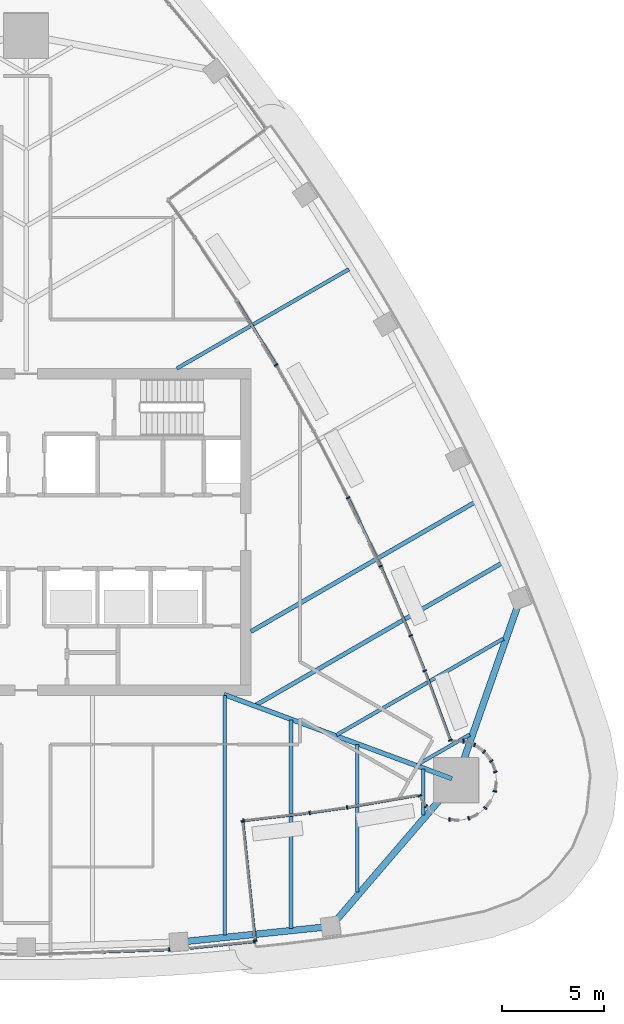
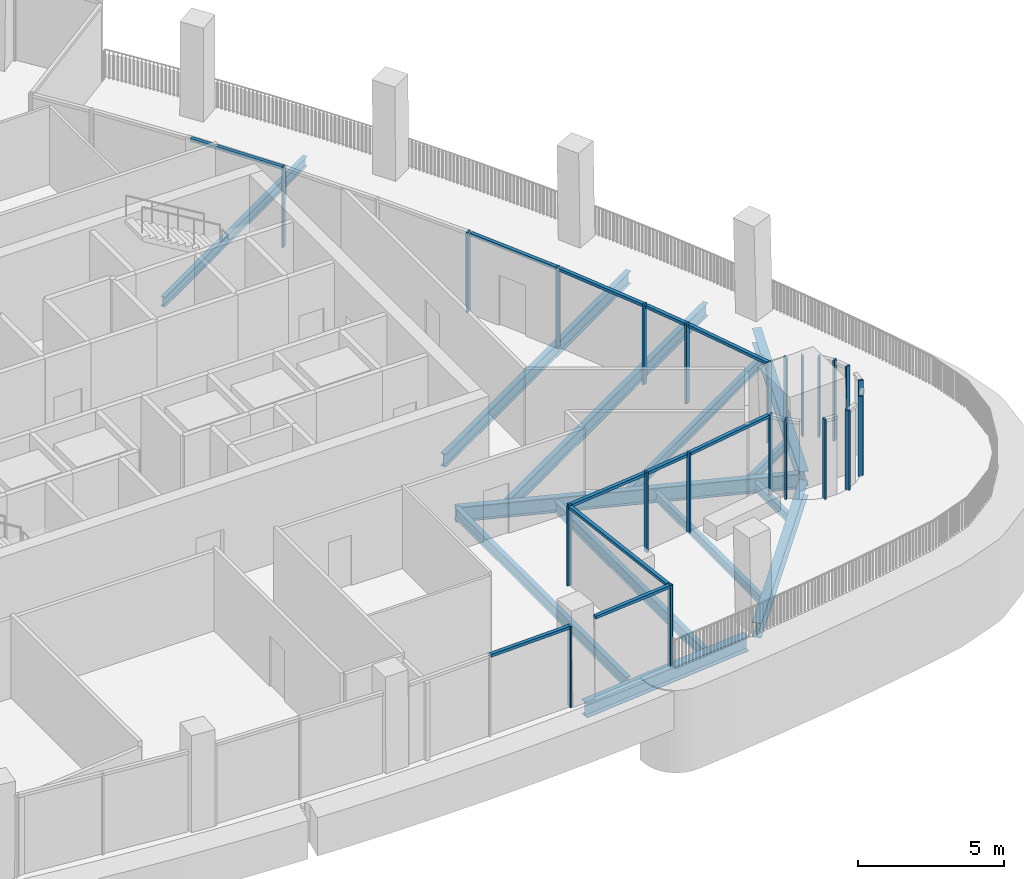
# One storey, part 4 of 20: 35 members, 13 beams, 23 elements without a shape of their own.
"""IFC4 building model written with IfcOpenShell, lengths in metres."""

from ifc_helpers import new_model, si_unit, direction, frame, origin, origin_2d, place, context, subcontext, project, spatial, rectangle, i_section, extrude, material, layer, layer_set, material_profile, profile_set, type_object, element, aggregate, save


model = new_model("IFC4")

# Units and contexts
model_context = context("Model", 3, precision=1e-05, world=origin(), true_north=direction((0.0, 1.0)))
body_context = subcontext(model_context, "Body", "Model", "MODEL_VIEW")
ifc_project = project(units=[si_unit("LENGTHUNIT", "METRE"), si_unit("AREAUNIT", "SQUARE_METRE"), si_unit("VOLUMEUNIT", "CUBIC_METRE"), si_unit("PLANEANGLEUNIT", "RADIAN"), si_unit("MASSUNIT", "GRAM", prefix="KILO")], contexts=[model_context])

# Site, building, storey
site_placement = place(None, origin())
site = spatial("IfcSite", under=ifc_project, at=site_placement, CompositionType="ELEMENT")
building_placement = place(site_placement, origin())
building = spatial("IfcBuilding", under=site, at=building_placement, Name="Sierra Prisma Convention Tower", CompositionType="ELEMENT")
storey_placement = place(building_placement, frame((0.0, 0.0, 275.0)))
storey = spatial("IfcBuildingStorey", under=building, at=storey_placement, Name="L62", CompositionType="ELEMENT", Elevation=275.0)

# Curtain wall, member
ifc_material_1 = material(Name="Aluminium and glass curtain wall", Category="aluminium")
ifc_layer_1 = layer(ifc_material_1, 0.179931640625)
ifc_layer_set_1 = layer_set([ifc_layer_1], Name="CW-1 Plain shaft curtain wall")
curtain_wall_type_1 = type_object("IfcCurtainWallType", Name="CW-1 Plain shaft curtain wall", PredefinedType="NOTDEFINED", material=ifc_layer_set_1)
curtain_wall_1_placement = place(storey_placement, origin())
curtain_wall_1 = element("IfcCurtainWall", 1, at=curtain_wall_1_placement, inside=storey, type_object=curtain_wall_type_1, Name="CW-1 S4 L62", PredefinedType="NOTDEFINED")
ifc_material_2 = material(Name="Aluminium 6063-T6 bronze anodised", Category="aluminium")
ifc_material_profile_1 = material_profile(ifc_material_2, rectangle(XDim=0.179931640625, YDim=0.070068359375, at=origin_2d()), Name="ALU MULLION 70x180")
ifc_profile_set_1 = profile_set([ifc_material_profile_1], Name="Aluminium 6063-T6 bronze anodised")
member_type_1 = type_object("IfcMemberType", Name="CW mullion bronze", PredefinedType="MULLION", material=ifc_profile_set_1)
member_1_placement = place(storey_placement, frame((7.00537109375, -20.449462890625, 0.0), z_axis=(0.0, 0.0, 1.0), x_axis=(-0.034320124653, 0.999410890997, 0.0)))
member_1 = element("IfcMember", 2, at=member_1_placement, type_object=member_type_1, Name="CW-1 mullion S4.3", PredefinedType="MULLION", context=body_context, shape_type="SweptSolid", body=[
    extrude(rectangle(XDim=0.179931640625, YDim=0.070068359375, at=origin_2d()), origin(), (0.0, 0.0, 1.0), 3.39990234375),
])

curtain_wall_2_placement = place(storey_placement, origin())
curtain_wall_2 = element("IfcCurtainWall", 3, at=curtain_wall_2_placement, inside=storey, type_object=curtain_wall_type_1, Name="CW-1 S5 L62", PredefinedType="NOTDEFINED")
member_2_placement = place(storey_placement, frame((11.178955078125, -20.052490234375, 0.0), z_axis=(0.0, 0.0, 1.0), x_axis=(-0.102798675231, 0.994702182752, 0.0)))
member_2 = element("IfcMember", 4, at=member_2_placement, type_object=member_type_1, Name="CW-1 mullion S5.2", PredefinedType="MULLION", context=body_context, shape_type="SweptSolid", body=[
    extrude(rectangle(XDim=0.179931640625, YDim=0.070068359375, at=origin_2d()), origin(), (0.0, 0.0, 1.0), 3.39990234375),
])

ifc_material_3 = material(Name="Aluminium and glass curtain wall", Category="aluminium")
ifc_layer_2 = layer(ifc_material_3, 0.179931640625)
ifc_layer_set_2 = layer_set([ifc_layer_2], Name="CW-6 Terrace recess curtain wall")
curtain_wall_type_2 = type_object("IfcCurtainWallType", Name="CW-6 Terrace recess curtain wall", PredefinedType="NOTDEFINED", material=ifc_layer_set_2)
curtain_wall_3_placement = place(storey_placement, origin())
curtain_wall_3 = element("IfcCurtainWall", 5, at=curtain_wall_3_placement, inside=storey, type_object=curtain_wall_type_2, Name="CW-6 R1 L62", PredefinedType="NOTDEFINED")
member_3_placement = place(storey_placement, frame((10.6376953125, -14.133544921875, 0.0), z_axis=(0.0, 0.0, 1.0), x_axis=(-0.116150090025, 0.99323167317, 0.0)))
member_3 = element("IfcMember", 6, at=member_3_placement, type_object=member_type_1, Name="CW-6 mullion R1.1", PredefinedType="MULLION", context=body_context, shape_type="SweptSolid", body=[
    extrude(rectangle(XDim=0.179931640625, YDim=0.070068359375, at=origin_2d()), origin(), (0.0, 0.0, 1.0), 3.340087890625),
])

curtain_wall_4_placement = place(storey_placement, origin())
curtain_wall_4 = element("IfcCurtainWall", 7, at=curtain_wall_4_placement, inside=storey, type_object=curtain_wall_type_2, Name="CW-6 R2 L62", PredefinedType="NOTDEFINED")
member_4_placement = place(storey_placement, frame((13.876708984375, -13.753662109375, 0.0), z_axis=(0.0, 0.0, 1.0), x_axis=(-0.142787646148, 0.989753347106, 0.0)))
member_4 = element("IfcMember", 8, at=member_4_placement, type_object=member_type_1, Name="CW-6 mullion R2.1", PredefinedType="MULLION", context=body_context, shape_type="SweptSolid", body=[
    extrude(rectangle(XDim=0.179931640625, YDim=0.070068359375, at=origin_2d()), origin(), (0.0, 0.0, 1.0), 3.340087890625),
])

curtain_wall_5_placement = place(storey_placement, origin())
curtain_wall_5 = element("IfcCurtainWall", 9, at=curtain_wall_5_placement, inside=storey, type_object=curtain_wall_type_2, Name="CW-6 R3 L62", PredefinedType="NOTDEFINED")
member_5_placement = place(storey_placement, frame((15.708740234375, -13.488525390625, 0.0), z_axis=(0.0, 0.0, 1.0), x_axis=(-0.169139617475, 0.985592101125, 0.0)))
member_5 = element("IfcMember", 10, at=member_5_placement, type_object=member_type_1, Name="CW-6 mullion R3.1", PredefinedType="MULLION", context=body_context, shape_type="SweptSolid", body=[
    extrude(rectangle(XDim=0.179931640625, YDim=0.070068359375, at=origin_2d()), origin(), (0.0, 0.0, 1.0), 3.340087890625),
])

curtain_wall_6_placement = place(storey_placement, origin())
curtain_wall_6 = element("IfcCurtainWall", 11, at=curtain_wall_6_placement, inside=storey, type_object=curtain_wall_type_2, Name="CW-6 R4 L62", PredefinedType="NOTDEFINED")
member_6_placement = place(storey_placement, frame((19.2666015625, -12.9111328125, 0.0), z_axis=(0.0, 0.0, 1.0), x_axis=(0.863018970793, 0.50517151152, 0.0)))
member_6 = element("IfcMember", 12, at=member_6_placement, type_object=member_type_1, Name="CW-6 mullion R4.1", PredefinedType="MULLION", context=body_context, shape_type="SweptSolid", body=[
    extrude(rectangle(XDim=0.179931640625, YDim=0.070068359375, at=origin_2d()), origin(), (0.0, 0.0, 1.0), 3.340087890625),
])
aggregate(curtain_wall_6, [member_6])

curtain_wall_7_placement = place(storey_placement, origin())
curtain_wall_7 = element("IfcCurtainWall", 13, at=curtain_wall_7_placement, inside=storey, type_object=curtain_wall_type_2, Name="CW-6 R5 L62", PredefinedType="NOTDEFINED")
member_7_placement = place(storey_placement, frame((19.580810546875, -13.427001953125, 0.0), z_axis=(0.0, 0.0, 1.0), x_axis=(0.671558954847, 0.740951125355, 0.0)))
member_7 = element("IfcMember", 14, at=member_7_placement, type_object=member_type_1, Name="CW-6 mullion R5.1", PredefinedType="MULLION", context=body_context, shape_type="SweptSolid", body=[
    extrude(rectangle(XDim=0.179931640625, YDim=0.070068359375, at=origin_2d()), origin(), (0.0, 0.0, 1.0), 3.340087890625),
])
aggregate(curtain_wall_7, [member_7])

curtain_wall_8_placement = place(storey_placement, origin())
curtain_wall_8 = element("IfcCurtainWall", 15, at=curtain_wall_8_placement, inside=storey, type_object=curtain_wall_type_2, Name="CW-6 R8 L62", PredefinedType="NOTDEFINED")
member_8_placement = place(storey_placement, frame((20.719970703125, -14.08251953125, 0.0), z_axis=(0.0, 0.0, 1.0), x_axis=(0.049067674327, 0.998795456205, 0.0)))
member_8 = element("IfcMember", 16, at=member_8_placement, type_object=member_type_1, Name="CW-6 mullion R8.1", PredefinedType="MULLION", context=body_context, shape_type="SweptSolid", body=[
    extrude(rectangle(XDim=0.179931640625, YDim=0.070068359375, at=origin_2d()), origin(), (0.0, 0.0, 1.0), 3.340087890625),
])
aggregate(curtain_wall_8, [member_8])

curtain_wall_9_placement = place(storey_placement, origin())
curtain_wall_9 = element("IfcCurtainWall", 17, at=curtain_wall_9_placement, inside=storey, type_object=curtain_wall_type_2, Name="CW-6 R10 L62", PredefinedType="NOTDEFINED")
member_9_placement = place(storey_placement, frame((21.666015625, -14.019287109375, 0.0), z_axis=(0.0, 0.0, 1.0), x_axis=(-0.42755509343, 0.903989293123, 0.0)))
member_9 = element("IfcMember", 18, at=member_9_placement, type_object=member_type_1, Name="CW-6 mullion R10.1", PredefinedType="MULLION", context=body_context, shape_type="SweptSolid", body=[
    extrude(rectangle(XDim=0.179931640625, YDim=0.070068359375, at=origin_2d()), origin(), (0.0, 0.0, 1.0), 3.340087890625),
])
aggregate(curtain_wall_9, [member_9])

curtain_wall_10_placement = place(storey_placement, origin())
curtain_wall_10 = element("IfcCurtainWall", 19, at=curtain_wall_10_placement, inside=storey, type_object=curtain_wall_type_2, Name="CW-6 R12 L62", PredefinedType="NOTDEFINED")
member_10_placement = place(storey_placement, frame((22.470458984375, -13.517578125, 0.0), z_axis=(0.0, 0.0, 1.0), x_axis=(-0.803207531481, 0.595699304492, 0.0)))
member_10 = element("IfcMember", 20, at=member_10_placement, type_object=member_type_1, Name="CW-6 mullion R12.1", PredefinedType="MULLION", context=body_context, shape_type="SweptSolid", body=[
    extrude(rectangle(XDim=0.179931640625, YDim=0.070068359375, at=origin_2d()), origin(), (0.0, 0.0, 1.0), 3.340087890625),
])
aggregate(curtain_wall_10, [member_10])

curtain_wall_11_placement = place(storey_placement, origin())
curtain_wall_11 = element("IfcCurtainWall", 21, at=curtain_wall_11_placement, inside=storey, type_object=curtain_wall_type_2, Name="CW-6 R14 L62", PredefinedType="NOTDEFINED")
member_11_placement = place(storey_placement, frame((22.943115234375, -12.69580078125, 0.0), z_axis=(0.0, 0.0, 1.0), x_axis=(-0.989176509965, 0.146730474455, 0.0)))
member_11 = element("IfcMember", 22, at=member_11_placement, type_object=member_type_1, Name="CW-6 mullion R14.1", PredefinedType="MULLION", context=body_context, shape_type="SweptSolid", body=[
    extrude(rectangle(XDim=0.179931640625, YDim=0.070068359375, at=origin_2d()), origin(), (0.0, 0.0, 1.0), 3.340087890625),
])
aggregate(curtain_wall_11, [member_11])

curtain_wall_12_placement = place(storey_placement, origin())
curtain_wall_12 = element("IfcCurtainWall", 23, at=curtain_wall_12_placement, inside=storey, type_object=curtain_wall_type_2, Name="CW-6 R16 L62", PredefinedType="NOTDEFINED")
member_12_placement = place(storey_placement, frame((22.972900390625, -11.748291015625, 0.0), z_axis=(0.0, 0.0, 1.0), x_axis=(-0.941544065183, -0.336889853392, 0.0)))
member_12 = element("IfcMember", 24, at=member_12_placement, type_object=member_type_1, Name="CW-6 mullion R16.1", PredefinedType="MULLION", context=body_context, shape_type="SweptSolid", body=[
    extrude(rectangle(XDim=0.179931640625, YDim=0.070068359375, at=origin_2d()), origin(), (0.0, 0.0, 1.0), 3.340087890625),
])
aggregate(curtain_wall_12, [member_12])

curtain_wall_13_placement = place(storey_placement, origin())
curtain_wall_13 = element("IfcCurtainWall", 25, at=curtain_wall_13_placement, inside=storey, type_object=curtain_wall_type_2, Name="CW-6 R17 L62", PredefinedType="NOTDEFINED")
member_13_placement = place(storey_placement, frame((22.7705078125, -11.212890625, 0.0), z_axis=(0.0, 0.0, 1.0), x_axis=(-0.803207531481, -0.595699304492, 0.0)))
member_13 = element("IfcMember", 26, at=member_13_placement, type_object=member_type_1, Name="CW-6 mullion R17.1", PredefinedType="MULLION", context=body_context, shape_type="SweptSolid", body=[
    extrude(rectangle(XDim=0.179931640625, YDim=0.070068359375, at=origin_2d()), origin(), (0.0, 0.0, 1.0), 3.340087890625),
])
aggregate(curtain_wall_13, [member_13])

curtain_wall_14_placement = place(storey_placement, origin())
curtain_wall_14 = element("IfcCurtainWall", 27, at=curtain_wall_14_placement, inside=storey, type_object=curtain_wall_type_2, Name="CW-6 R18 L62", PredefinedType="NOTDEFINED")
member_14_placement = place(storey_placement, frame((22.42138671875, -10.759033203125, 0.0), z_axis=(0.0, 0.0, 1.0), x_axis=(-0.595699304492, -0.803207531481, 0.0)))
member_14 = element("IfcMember", 28, at=member_14_placement, type_object=member_type_1, Name="CW-6 mullion R18.1", PredefinedType="MULLION", context=body_context, shape_type="SweptSolid", body=[
    extrude(rectangle(XDim=0.179931640625, YDim=0.070068359375, at=origin_2d()), origin(), (0.0, 0.0, 1.0), 3.340087890625),
])
aggregate(curtain_wall_14, [member_14])

curtain_wall_15_placement = place(storey_placement, origin())
curtain_wall_15 = element("IfcCurtainWall", 29, at=curtain_wall_15_placement, inside=storey, type_object=curtain_wall_type_2, Name="CW-6 R19 L62", PredefinedType="NOTDEFINED")
member_15_placement = place(storey_placement, frame((21.95556640625, -10.42626953125, 0.0), z_axis=(0.0, 0.0, 1.0), x_axis=(-0.336889853392, -0.941544065183, 0.0)))
member_15 = element("IfcMember", 30, at=member_15_placement, type_object=member_type_1, Name="CW-6 mullion R19.1", PredefinedType="MULLION", context=body_context, shape_type="SweptSolid", body=[
    extrude(rectangle(XDim=0.179931640625, YDim=0.070068359375, at=origin_2d()), origin(), (0.0, 0.0, 1.0), 3.340087890625),
])
aggregate(curtain_wall_15, [member_15])

curtain_wall_16_placement = place(storey_placement, origin())
curtain_wall_16 = element("IfcCurtainWall", 31, at=curtain_wall_16_placement, inside=storey, type_object=curtain_wall_type_2, Name="CW-6 R20 L62", PredefinedType="NOTDEFINED")
member_16_placement = place(storey_placement, frame((21.4130859375, -10.244140625, 0.0), z_axis=(0.0, 0.0, 1.0), x_axis=(-0.021069898592, -0.999778005046, 0.0)))
member_16 = element("IfcMember", 32, at=member_16_placement, type_object=member_type_1, Name="CW-6 mullion R20.1", PredefinedType="MULLION", context=body_context, shape_type="SweptSolid", body=[
    extrude(rectangle(XDim=0.179931640625, YDim=0.070068359375, at=origin_2d()), origin(), (0.0, 0.0, 1.0), 3.340087890625),
])
aggregate(curtain_wall_16, [member_16])

curtain_wall_17_placement = place(storey_placement, origin())
curtain_wall_17 = element("IfcCurtainWall", 33, at=curtain_wall_17_placement, inside=storey, type_object=curtain_wall_type_2, Name="CW-6 R21 L62", PredefinedType="NOTDEFINED")
member_17_placement = place(storey_placement, frame((20.767822265625, -10.19775390625, 0.0), z_axis=(0.0, 0.0, 1.0), x_axis=(-0.938118531054, -0.346314339428, 0.0)))
member_17 = element("IfcMember", 34, at=member_17_placement, type_object=member_type_1, Name="CW-6 mullion R21.1", PredefinedType="MULLION", context=body_context, shape_type="SweptSolid", body=[
    extrude(rectangle(XDim=0.179931640625, YDim=0.070068359375, at=origin_2d()), origin(), (0.0, 0.0, 1.0), 3.340087890625),
])

curtain_wall_18_placement = place(storey_placement, origin())
curtain_wall_18 = element("IfcCurtainWall", 35, at=curtain_wall_18_placement, inside=storey, type_object=curtain_wall_type_2, Name="CW-6 R22 L62", PredefinedType="NOTDEFINED")
member_18_placement = place(storey_placement, frame((19.510498046875, -6.79443359375, 0.0), z_axis=(0.0, 0.0, 1.0), x_axis=(-0.928545365148, -0.371218944642, 0.0)))
member_18 = element("IfcMember", 36, at=member_18_placement, type_object=member_type_1, Name="CW-6 mullion R22.1", PredefinedType="MULLION", context=body_context, shape_type="SweptSolid", body=[
    extrude(rectangle(XDim=0.179931640625, YDim=0.070068359375, at=origin_2d()), origin(), (0.0, 0.0, 1.0), 3.340087890625),
])

curtain_wall_19_placement = place(storey_placement, origin())
curtain_wall_19 = element("IfcCurtainWall", 37, at=curtain_wall_19_placement, inside=storey, type_object=curtain_wall_type_2, Name="CW-6 R23 L62", PredefinedType="NOTDEFINED")
member_19_placement = place(storey_placement, frame((18.822509765625, -5.075927734375, 0.0), z_axis=(0.0, 0.0, 1.0), x_axis=(-0.91823890582, -0.396026907972, 0.0)))
member_19 = element("IfcMember", 38, at=member_19_placement, type_object=member_type_1, Name="CW-6 mullion R23.1", PredefinedType="MULLION", context=body_context, shape_type="SweptSolid", body=[
    extrude(rectangle(XDim=0.179931640625, YDim=0.070068359375, at=origin_2d()), origin(), (0.0, 0.0, 1.0), 3.340087890625),
])

curtain_wall_20_placement = place(storey_placement, origin())
curtain_wall_20 = element("IfcCurtainWall", 39, at=curtain_wall_20_placement, inside=storey, type_object=curtain_wall_type_2, Name="CW-6 R24 L62", PredefinedType="NOTDEFINED")
member_20_placement = place(storey_placement, frame((17.355224609375, -1.677001953125, 0.0), z_axis=(0.0, 0.0, 1.0), x_axis=(-0.90346751854, -0.428656555933, 0.0)))
member_20 = element("IfcMember", 40, at=member_20_placement, type_object=member_type_1, Name="CW-6 mullion R24.1", PredefinedType="MULLION", context=body_context, shape_type="SweptSolid", body=[
    extrude(rectangle(XDim=0.179931640625, YDim=0.070068359375, at=origin_2d()), origin(), (0.0, 0.0, 1.0), 3.340087890625),
])

curtain_wall_21_placement = place(storey_placement, origin())
curtain_wall_21 = element("IfcCurtainWall", 41, at=curtain_wall_21_placement, inside=storey, type_object=curtain_wall_type_2, Name="CW-6 R25 L62", PredefinedType="NOTDEFINED")
member_21_placement = place(storey_placement, frame((15.76708984375, 1.6669921875, 0.0), z_axis=(0.0, 0.0, 1.0), x_axis=(-0.887537083802, -0.460736285609, 0.0)))
member_21 = element("IfcMember", 42, at=member_21_placement, type_object=member_type_1, Name="CW-6 mullion R25.1", PredefinedType="MULLION", context=body_context, shape_type="SweptSolid", body=[
    extrude(rectangle(XDim=0.179931640625, YDim=0.070068359375, at=origin_2d()), origin(), (0.0, 0.0, 1.0), 3.340087890625),
])
aggregate(curtain_wall_21, [member_21])

curtain_wall_22_placement = place(storey_placement, origin())
curtain_wall_22 = element("IfcCurtainWall", 43, at=curtain_wall_22_placement, inside=storey, type_object=curtain_wall_type_2, Name="CW-6 R27 L62", PredefinedType="NOTDEFINED")
member_22_placement = place(storey_placement, frame((12.237060546875, 8.17431640625, 0.0), z_axis=(0.0, 0.0, 1.0), x_axis=(-0.852282280478, -0.523082129672, 0.0)))
member_22 = element("IfcMember", 44, at=member_22_placement, type_object=member_type_1, Name="CW-6 mullion R27.1", PredefinedType="MULLION", context=body_context, shape_type="SweptSolid", body=[
    extrude(rectangle(XDim=0.179931640625, YDim=0.070068359375, at=origin_2d()), origin(), (0.0, 0.0, 1.0), 3.340087890625),
])

# Curtain wall, members
curtain_wall_23_placement = place(storey_placement, origin())
curtain_wall_23 = element("IfcCurtainWall", 45, at=curtain_wall_23_placement, inside=storey, type_object=curtain_wall_type_2, Name="CW-6 RT1 L62", PredefinedType="NOTDEFINED")
member_23_placement = place(storey_placement, frame((11.210205078125, -20.013916015625, 0.0), z_axis=(0.0, 0.0, 1.0), x_axis=(-0.994702182752, -0.102798675231, 0.0)))
member_23 = element("IfcMember", 46, at=member_23_placement, type_object=member_type_1, Name="CW-6 mullion RT1.1", PredefinedType="MULLION", context=body_context, shape_type="SweptSolid", body=[
    extrude(rectangle(XDim=0.179931640625, YDim=0.070068359375, at=origin_2d()), origin(), (0.0, 0.0, 1.0), 3.340087890625),
])
member_24_placement = place(storey_placement, frame((10.6064453125, -14.17236328125, 0.0), z_axis=(0.0, 0.0, 1.0), x_axis=(-0.994702182752, -0.102798675231, 0.0)))
member_24 = element("IfcMember", 47, at=member_24_placement, type_object=member_type_1, Name="CW-6 mullion RT1.2", PredefinedType="MULLION", context=body_context, shape_type="SweptSolid", body=[
    extrude(rectangle(XDim=0.179931640625, YDim=0.070068359375, at=origin_2d()), origin(), (0.0, 0.0, 1.0), 3.340087890625),
])

# Member
ifc_material_4 = material(Name="Aluminium 6063-T6 bronze anodised", Category="aluminium")
ifc_material_profile_2 = material_profile(ifc_material_4, rectangle(XDim=0.139892578125, YDim=0.1201171875, at=origin_2d()), Name="ALU TRANSOM 120x140")
ifc_profile_set_2 = profile_set([ifc_material_profile_2], Name="Aluminium 6063-T6 bronze anodised")
member_type_2 = type_object("IfcMemberType", Name="CW transom bronze", PredefinedType="USERDEFINED", material=ifc_profile_set_2)
member_25_placement = place(storey_placement, frame((3.780029296875, -20.560302734375, 3.340087890625), z_axis=(0.999410170442, 0.034341100982, 0.0), x_axis=(-0.034341100982, 0.999410170442, 0.0)))
member_25 = element("IfcMember", 48, at=member_25_placement, type_object=member_type_2, Name="CW-1 transom S4.2", ObjectType="TRANSOM", PredefinedType="USERDEFINED", context=body_context, shape_type="SweptSolid", body=[
    extrude(rectangle(XDim=0.139892578125, YDim=0.1201171875, at=origin_2d()), origin(), (0.0, 0.0, 1.0), 3.192138671875),
])

aggregate(curtain_wall_1, [member_1, member_25])

member_26_placement = place(storey_placement, frame((8.01953125, -20.37890625, 3.340087890625), z_axis=(0.994699197796, 0.102827554203, 0.0), x_axis=(-0.102827554203, 0.994699197796, 0.0)))
member_26 = element("IfcMember", 49, at=member_26_placement, type_object=member_type_2, Name="CW-1 transom S5.1", ObjectType="TRANSOM", PredefinedType="USERDEFINED", context=body_context, shape_type="SweptSolid", body=[
    extrude(rectangle(XDim=0.139892578125, YDim=0.1201171875, at=origin_2d()), origin(), (0.0, 0.0, 1.0), 3.14111328125),
])

aggregate(curtain_wall_2, [member_2, member_26])

member_27_placement = place(storey_placement, frame((10.67236328125, -14.12939453125, 3.280029296875), z_axis=(0.993230990022, 0.116155931657, 0.0), x_axis=(-0.116155931657, 0.993230990022, 0.0)))
member_27 = element("IfcMember", 50, at=member_27_placement, type_object=member_type_2, Name="CW-6 transom R1.1", ObjectType="TRANSOM", PredefinedType="USERDEFINED", context=body_context, shape_type="SweptSolid", body=[
    extrude(rectangle(XDim=0.139892578125, YDim=0.1201171875, at=origin_2d()), origin(), (0.0, 0.0, 1.0), 3.121337890625),
])

aggregate(curtain_wall_3, [member_3, member_27])

member_28_placement = place(storey_placement, frame((13.911376953125, -13.748779296875, 3.280029296875), z_axis=(0.98974875873, 0.142819447526, 0.0), x_axis=(-0.142819447526, 0.98974875873, 0.0)))
member_28 = element("IfcMember", 51, at=member_28_placement, type_object=member_type_2, Name="CW-6 transom R2.1", ObjectType="TRANSOM", PredefinedType="USERDEFINED", context=body_context, shape_type="SweptSolid", body=[
    extrude(rectangle(XDim=0.139892578125, YDim=0.1201171875, at=origin_2d()), origin(), (0.0, 0.0, 1.0), 1.711181640625),
])

aggregate(curtain_wall_4, [member_4, member_28])

member_29_placement = place(storey_placement, frame((15.7431640625, -13.482421875, 3.280029296875), z_axis=(0.985601259364, 0.169086242904, 0.0), x_axis=(-0.169086242904, 0.985601259364, 0.0)))
member_29 = element("IfcMember", 52, at=member_29_placement, type_object=member_type_2, Name="CW-6 transom R3.1", ObjectType="TRANSOM", PredefinedType="USERDEFINED", context=body_context, shape_type="SweptSolid", body=[
    extrude(rectangle(XDim=0.139892578125, YDim=0.1201171875, at=origin_2d()), origin(), (0.0, 0.0, 1.0), 3.487060546875),
])

aggregate(curtain_wall_5, [member_5, member_29])

member_30_placement = place(storey_placement, frame((20.755859375, -10.1650390625, 3.280029296875), z_axis=(-0.346324805889, 0.938114667205, 0.0), x_axis=(-0.938114667205, -0.346324805889, 0.0)))
member_30 = element("IfcMember", 53, at=member_30_placement, type_object=member_type_2, Name="CW-6 transom R21.1", ObjectType="TRANSOM", PredefinedType="USERDEFINED", context=body_context, shape_type="SweptSolid", body=[
    extrude(rectangle(XDim=0.139892578125, YDim=0.1201171875, at=origin_2d()), origin(), (0.0, 0.0, 1.0), 3.488037109375),
])

aggregate(curtain_wall_17, [member_17, member_30])

member_31_placement = place(storey_placement, frame((19.49755859375, -6.761962890625, 3.280029296875), z_axis=(-0.37124307575, 0.928535717518, 0.0), x_axis=(-0.928535717518, -0.37124307575, 0.0)))
member_31 = element("IfcMember", 54, at=member_31_placement, type_object=member_type_2, Name="CW-6 transom R22.1", ObjectType="TRANSOM", PredefinedType="USERDEFINED", context=body_context, shape_type="SweptSolid", body=[
    extrude(rectangle(XDim=0.139892578125, YDim=0.1201171875, at=origin_2d()), origin(), (0.0, 0.0, 1.0), 1.711181640625),
])

aggregate(curtain_wall_18, [member_18, member_31])

member_32_placement = place(storey_placement, frame((18.80859375, -5.0439453125, 3.280029296875), z_axis=(-0.396002734431, 0.91824933124, 0.0), x_axis=(-0.91824933124, -0.396002734431, 0.0)))
member_32 = element("IfcMember", 55, at=member_32_placement, type_object=member_type_2, Name="CW-6 transom R23.1", ObjectType="TRANSOM", PredefinedType="USERDEFINED", context=body_context, shape_type="SweptSolid", body=[
    extrude(rectangle(XDim=0.139892578125, YDim=0.1201171875, at=origin_2d()), origin(), (0.0, 0.0, 1.0), 3.562255859375),
])

aggregate(curtain_wall_19, [member_19, member_32])

member_33_placement = place(storey_placement, frame((17.34033203125, -1.6455078125, 3.280029296875), z_axis=(-0.428696098487, 0.903448756235, 0.0), x_axis=(-0.903448756235, -0.428696098487, 0.0)))
member_33 = element("IfcMember", 56, at=member_33_placement, type_object=member_type_2, Name="CW-6 transom R24.1", ObjectType="TRANSOM", PredefinedType="USERDEFINED", context=body_context, shape_type="SweptSolid", body=[
    extrude(rectangle(XDim=0.139892578125, YDim=0.1201171875, at=origin_2d()), origin(), (0.0, 0.0, 1.0), 3.562255859375),
])

aggregate(curtain_wall_20, [member_20, member_33])

member_34_placement = place(storey_placement, frame((12.21875, 8.2041015625, 3.280029296875), z_axis=(-0.523087508579, 0.85227897919, 0.0), x_axis=(-0.85227897919, -0.523087508579, 0.0)))
member_34 = element("IfcMember", 57, at=member_34_placement, type_object=member_type_2, Name="CW-6 transom R27.1", ObjectType="TRANSOM", PredefinedType="USERDEFINED", context=body_context, shape_type="SweptSolid", body=[
    extrude(rectangle(XDim=0.139892578125, YDim=0.1201171875, at=origin_2d()), origin(), (0.0, 0.0, 1.0), 3.56201171875),
])

aggregate(curtain_wall_22, [member_22, member_34])

member_35_placement = place(storey_placement, frame((11.20654296875, -19.979248046875, 3.280029296875), z_axis=(-0.102781448271, 0.994703962941, 0.0), x_axis=(-0.994703962941, -0.102781448271, 0.0)))
member_35 = element("IfcMember", 58, at=member_35_placement, type_object=member_type_2, Name="CW-6 transom RT1.1", ObjectType="TRANSOM", PredefinedType="USERDEFINED", context=body_context, shape_type="SweptSolid", body=[
    extrude(rectangle(XDim=0.139892578125, YDim=0.1201171875, at=origin_2d()), origin(), (0.0, 0.0, 1.0), 5.802978515625),
])

aggregate(curtain_wall_23, [member_23, member_24, member_35])

# Beams
ifc_material_5 = material(Name="Steel ASTM A992 Gr 50", Category="steel")
ifc_material_profile_3 = material_profile(ifc_material_5, i_section(OverallWidth=0.172119140625, OverallDepth=0.35791015625, WebThickness=0.0078125, FlangeThickness=0.01318359375, at=origin_2d()), Name="W360x57")
ifc_profile_set_3 = profile_set([ifc_material_profile_3], Name="Steel ASTM A992 Gr 50")
beam_type_1 = type_object("IfcBeamType", Name="Floor joist W360x57", PredefinedType="JOIST", material=ifc_profile_set_3)
beam_1_placement = place(storey_placement, frame((16.205078125, -17.62060546875, -0.47900390625), z_axis=(0.0, 1.0, 0.0), x_axis=(-1.0, 0.0, 0.0)))
element("IfcBeam", 59, at=beam_1_placement, inside=storey, type_object=beam_type_1, Name="Floor joist L62 S12", PredefinedType="JOIST", context=body_context, shape_type="SweptSolid", body=[
    extrude(i_section(OverallWidth=0.172119140625, OverallDepth=0.35791015625, WebThickness=0.0078125, FlangeThickness=0.01318359375, at=origin_2d()), origin(), (0.0, 0.0, 1.0), 7.205078125),
])
beam_2_placement = place(storey_placement, frame((19.446044921875, -13.84912109375, -0.47900390625), z_axis=(0.0, 1.0, 0.0), x_axis=(-1.0, 0.0, 0.0)))
element("IfcBeam", 60, at=beam_2_placement, inside=storey, type_object=beam_type_1, Name="Floor joist L62 S13", PredefinedType="JOIST", context=body_context, shape_type="SweptSolid", body=[
    extrude(i_section(OverallWidth=0.172119140625, OverallDepth=0.35791015625, WebThickness=0.0078125, FlangeThickness=0.01318359375, at=origin_2d()), origin(), (0.0, 0.0, 1.0), 2.236083984375),
])
beam_3_placement = place(storey_placement, frame((21.716796875, -9.916259765625, -0.47900390625), z_axis=(-0.866016014115, -0.500016263033, 0.0), x_axis=(0.500016263033, -0.866016014115, 0.0)))
element("IfcBeam", 61, at=beam_3_placement, inside=storey, type_object=beam_type_1, Name="Floor joist L62 NE01", PredefinedType="JOIST", context=body_context, shape_type="SweptSolid", body=[
    extrude(i_section(OverallWidth=0.172119140625, OverallDepth=0.35791015625, WebThickness=0.0078125, FlangeThickness=0.01318359375, at=origin_2d()), origin(), (0.0, 0.0, 1.0), 2.97314453125),
])
ifc_material_6 = material(Name="Steel ASTM A992 Gr 50", Category="steel")
ifc_material_profile_4 = material_profile(ifc_material_6, i_section(OverallWidth=0.177978515625, OverallDepth=0.406982421875, WebThickness=0.0078125, FlangeThickness=0.0126953125, at=origin_2d()), Name="W410x60")
ifc_profile_set_4 = profile_set([ifc_material_profile_4], Name="Steel ASTM A992 Gr 50")
beam_type_2 = type_object("IfcBeamType", Name="Floor joist W410x60", PredefinedType="JOIST", material=ifc_profile_set_4)
beam_4_placement = place(storey_placement, frame((23.3623046875, -5.223876953125, -0.50341796875), z_axis=(-0.866023166229, -0.50000387554, 0.0), x_axis=(0.50000387554, -0.866023166229, 0.0)))
element("IfcBeam", 62, at=beam_4_placement, inside=storey, type_object=beam_type_2, Name="Floor joist L62 NE02", PredefinedType="JOIST", context=body_context, shape_type="SweptSolid", body=[
    extrude(i_section(OverallWidth=0.177978515625, OverallDepth=0.406982421875, WebThickness=0.0078125, FlangeThickness=0.0126953125, at=origin_2d()), origin(), (0.0, 0.0, 1.0), 9.43701171875),
])
beam_5_placement = place(storey_placement, frame((15.800537109375, 12.864990234375, -0.50341796875), z_axis=(-0.866021787753, -0.500006263098, 0.0), x_axis=(0.500006263098, -0.866021787753, 0.0)))
element("IfcBeam", 63, at=beam_5_placement, inside=storey, type_object=beam_type_2, Name="Floor joist L62 NE08", PredefinedType="JOIST", context=body_context, shape_type="SweptSolid", body=[
    extrude(i_section(OverallWidth=0.177978515625, OverallDepth=0.406982421875, WebThickness=0.0078125, FlangeThickness=0.0126953125, at=origin_2d()), origin(), (0.0, 0.0, 1.0), 9.72998046875),
])
ifc_material_7 = material(Name="Steel ASTM A992 Gr 50", Category="steel")
ifc_material_profile_5 = material_profile(ifc_material_7, i_section(OverallWidth=0.18994140625, OverallDepth=0.45703125, WebThickness=0.009033203125, FlangeThickness=0.014404296875, at=origin_2d()), Name="W460x74")
ifc_profile_set_5 = profile_set([ifc_material_profile_5], Name="Steel ASTM A992 Gr 50")
beam_type_3 = type_object("IfcBeamType", Name="Floor joist W460x74", PredefinedType="JOIST", material=ifc_profile_set_5)
beam_6_placement = place(storey_placement, frame((9.72314453125, -19.73779296875, -0.37841796875), z_axis=(0.0, 1.0, 0.0), x_axis=(-1.0, 0.0, 0.0)))
element("IfcBeam", 64, at=beam_6_placement, inside=storey, type_object=beam_type_3, Name="Floor joist L62 S10", PredefinedType="JOIST", context=body_context, shape_type="SweptSolid", body=[
    extrude(i_section(OverallWidth=0.18994140625, OverallDepth=0.45703125, WebThickness=0.009033203125, FlangeThickness=0.014404296875, at=origin_2d()), origin(), (0.0, 0.0, 1.0), 11.73779296875),
])
beam_7_placement = place(storey_placement, frame((12.964111328125, -19.40283203125, -0.528564453125), z_axis=(0.0, 1.0, 0.0), x_axis=(-1.0, 0.0, 0.0)))
element("IfcBeam", 65, at=beam_7_placement, inside=storey, type_object=beam_type_3, Name="Floor joist L62 S11", PredefinedType="JOIST", context=body_context, shape_type="SweptSolid", body=[
    extrude(i_section(OverallWidth=0.18994140625, OverallDepth=0.45703125, WebThickness=0.009033203125, FlangeThickness=0.014404296875, at=origin_2d()), origin(), (0.0, 0.0, 1.0), 10.184814453125),
])
ifc_material_8 = material(Name="Steel ASTM A992 Gr 50", Category="steel")
ifc_material_profile_6 = material_profile(ifc_material_8, i_section(OverallWidth=0.208984375, OverallDepth=0.532958984375, WebThickness=0.01025390625, FlangeThickness=0.015625, at=origin_2d()), Name="W530x92")
ifc_profile_set_6 = profile_set([ifc_material_profile_6], Name="Steel ASTM A992 Gr 50")
beam_type_4 = type_object("IfcBeamType", Name="Floor joist W530x92", PredefinedType="JOIST", material=ifc_profile_set_6)
beam_8_placement = place(storey_placement, frame((23.285400390625, -1.52587890625, -0.56640625), z_axis=(-0.866027195458, -0.499996896717, 0.0), x_axis=(0.499996896717, -0.866027195458, 0.0)))
element("IfcBeam", 66, at=beam_8_placement, inside=storey, type_object=beam_type_4, Name="Floor joist L62 NE03", PredefinedType="JOIST", context=body_context, shape_type="SweptSolid", body=[
    extrude(i_section(OverallWidth=0.208984375, OverallDepth=0.532958984375, WebThickness=0.01025390625, FlangeThickness=0.015625, at=origin_2d()), origin(), (0.0, 0.0, 1.0), 13.912109375),
])
beam_9_placement = place(storey_placement, frame((21.955078125, 1.448486328125, -0.56640625), z_axis=(-0.866024244478, -0.500002007972, 0.0), x_axis=(0.500002007972, -0.866024244478, 0.0)))
element("IfcBeam", 67, at=beam_9_placement, inside=storey, type_object=beam_type_4, Name="Floor joist L62 NE04", PredefinedType="JOIST", context=body_context, shape_type="SweptSolid", body=[
    extrude(i_section(OverallWidth=0.208984375, OverallDepth=0.532958984375, WebThickness=0.01025390625, FlangeThickness=0.015625, at=origin_2d()), origin(), (0.0, 0.0, 1.0), 12.64990234375),
])
ifc_material_9 = material(Name="Steel ASTM A992 Gr 50", Category="steel")
ifc_material_profile_7 = material_profile(ifc_material_9, i_section(OverallWidth=0.22998046875, OverallDepth=0.616943359375, WebThickness=0.01318359375, FlangeThickness=0.022216796875, at=origin_2d()), Name="W610x140")
ifc_profile_set_7 = profile_set([ifc_material_profile_7], Name="Steel ASTM A992 Gr 50")
beam_type_5 = type_object("IfcBeamType", Name="Radial girder W610x140", PredefinedType="BEAM", material=ifc_profile_set_7)
beam_10_placement = place(storey_placement, frame((20.8466796875, -12.08154296875, -0.45849609375), z_axis=(-0.938021767637, 0.346576345757, 0.0), x_axis=(-0.346576345757, -0.938021767637, 0.0)))
element("IfcBeam", 68, at=beam_10_placement, inside=storey, type_object=beam_type_5, Name="Radial girder L62 SE", PredefinedType="BEAM", context=body_context, shape_type="SweptSolid", body=[
    extrude(i_section(OverallWidth=0.22998046875, OverallDepth=0.616943359375, WebThickness=0.01318359375, FlangeThickness=0.022216796875, at=origin_2d()), origin(), (0.0, 0.0, 1.0), 11.896484375),
])
ifc_material_10 = material(Name="Steel ASTM A992 Gr 50", Category="steel")
ifc_material_profile_8 = material_profile(ifc_material_10, i_section(OverallWidth=0.324951171875, OverallDepth=0.615966796875, WebThickness=0.013916015625, FlangeThickness=0.021484375, at=origin_2d()), Name="W610x174")
ifc_profile_set_8 = profile_set([ifc_material_profile_8], Name="Steel ASTM A992 Gr 50")
beam_type_6 = type_object("IfcBeamType", Name="Spandrel beam W610x174", PredefinedType="BEAM", material=ifc_profile_set_8)
beam_11_placement = place(storey_placement, frame((7.806640625, -20.04931640625, -0.60791015625), z_axis=(0.994700379248, 0.102816124827, 0.0), x_axis=(-0.102816124827, 0.994700379248, 0.0)))
element("IfcBeam", 69, at=beam_11_placement, inside=storey, type_object=beam_type_6, Name="Spandrel L62-05", PredefinedType="BEAM", context=body_context, shape_type="SweptSolid", body=[
    extrude(i_section(OverallWidth=0.324951171875, OverallDepth=0.615966796875, WebThickness=0.013916015625, FlangeThickness=0.021484375, at=origin_2d()), origin(), (0.0, 0.0, 1.0), 6.822021484375),
])
beam_12_placement = place(storey_placement, frame((15.234130859375, -18.94970703125, -0.60791015625), z_axis=(0.651775359196, 0.758412078718, 0.0), x_axis=(-0.758412078718, 0.651775359196, 0.0)))
element("IfcBeam", 70, at=beam_12_placement, inside=storey, type_object=beam_type_6, Name="Spandrel L62-06", PredefinedType="BEAM", context=body_context, shape_type="SweptSolid", body=[
    extrude(i_section(OverallWidth=0.324951171875, OverallDepth=0.615966796875, WebThickness=0.013916015625, FlangeThickness=0.021484375, at=origin_2d()), origin(), (0.0, 0.0, 1.0), 8.65869140625),
])
beam_13_placement = place(storey_placement, frame((21.143798828125, -11.94287109375, -0.60791015625), z_axis=(0.330929311043, 0.943655546846, 0.0), x_axis=(-0.943655546846, 0.330929311043, 0.0)))
element("IfcBeam", 71, at=beam_13_placement, inside=storey, type_object=beam_type_6, Name="Spandrel L62-07", PredefinedType="BEAM", context=body_context, shape_type="SweptSolid", body=[
    extrude(i_section(OverallWidth=0.324951171875, OverallDepth=0.615966796875, WebThickness=0.013916015625, FlangeThickness=0.021484375, at=origin_2d()), origin(), (0.0, 0.0, 1.0), 8.715576171875),
])

save(model, "model.ifc")
